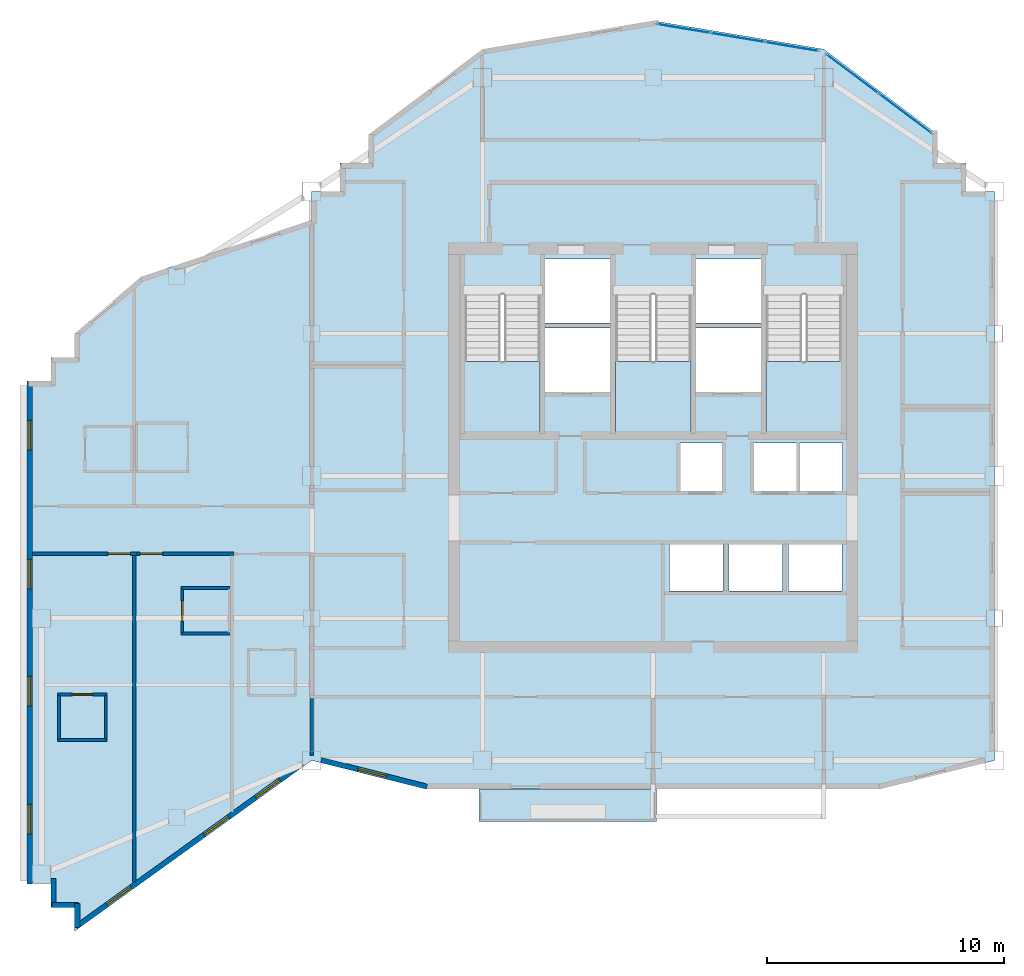
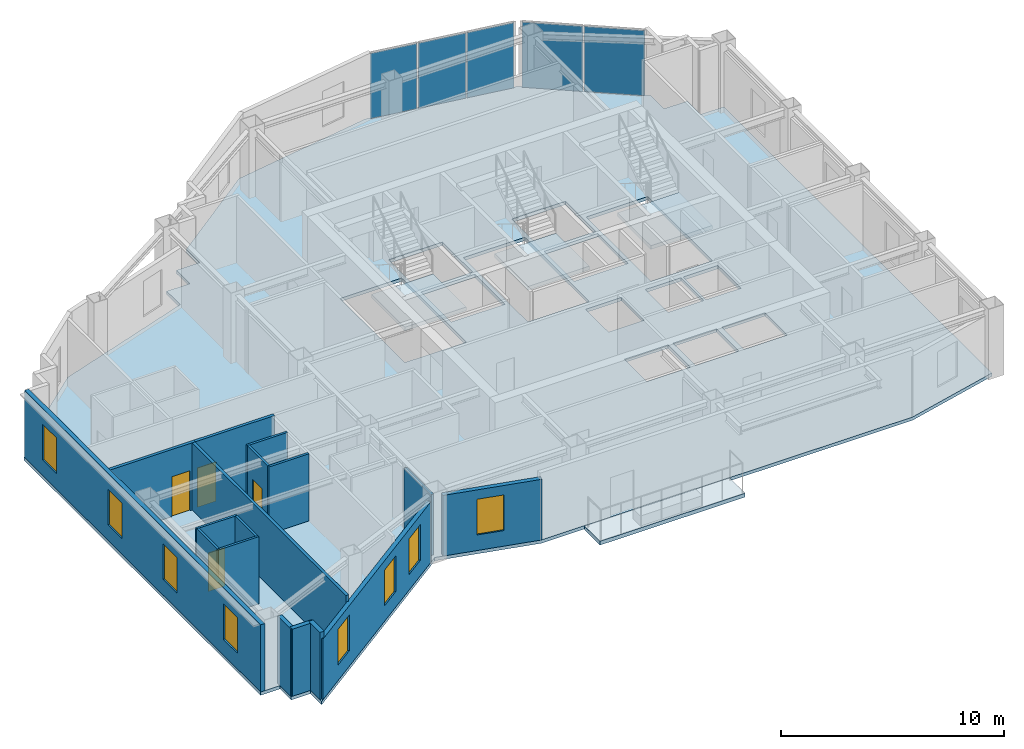
# One storey, part 4 of 10: 17 walls, 8 windows, 5 plates, 5 slabs, 4 doors, 12 openings, 5 elements without a shape of their own.
"""IFC4 building model written with IfcOpenShell, lengths in metres."""

from ifc_helpers import new_model, si_unit, direction, frame, frame_2d, origin, origin_2d, place, context, subcontext, project, spatial, polyline, rectangle, outline, extrude, material, layer, layer_set, type_object, element, fill, aggregate, save


model = new_model("IFC4")

# Units and contexts
model_context = context("Model", 3, precision=1e-05, world=origin(), true_north=direction((0.0, 1.0)))
body_context = subcontext(model_context, "Body", "Model", "MODEL_VIEW")
ifc_project = project(units=[si_unit("LENGTHUNIT", "METRE"), si_unit("AREAUNIT", "SQUARE_METRE"), si_unit("VOLUMEUNIT", "CUBIC_METRE"), si_unit("PLANEANGLEUNIT", "RADIAN"), si_unit("MASSUNIT", "GRAM", prefix="KILO")], contexts=[model_context])

# Site, building, storey
site_placement = place(None, origin())
site = spatial("IfcSite", under=ifc_project, at=site_placement, CompositionType="ELEMENT")
building_placement = place(site_placement, origin())
building = spatial("IfcBuilding", under=site, at=building_placement, Name="Haolan Belvedere Tower", CompositionType="ELEMENT")
storey_placement = place(building_placement, frame((0.0, 0.0, 266.0)))
storey = spatial("IfcBuildingStorey", under=building, at=storey_placement, Name="L67", CompositionType="ELEMENT", Elevation=266.0)

# Curtain wall, plates
ifc_material_1 = material(Name="Anodised champagne-silver aluminium 6063-T6 and Low-E glass", Category="aluminium")
ifc_layer_1 = layer(ifc_material_1, 0.14501953125, Name="Anodised champagne-silver aluminium 6063-T6 and Low-E glass")
ifc_layer_set_1 = layer_set([ifc_layer_1], Name="Anodised champagne-silver aluminium 6063-T6 and Low-E glass")
curtain_wall_type = type_object("IfcCurtainWallType", Name="CW-SYS-05", PredefinedType="NOTDEFINED", material=ifc_layer_set_1)
curtain_wall_1_placement = place(storey_placement, origin())
curtain_wall_1 = element("IfcCurtainWall", 1, at=curtain_wall_1_placement, inside=storey, type_object=curtain_wall_type, Name="L67 CW-SYS-05 ribbon curtain wall 8.1", PredefinedType="NOTDEFINED")
ifc_material_2 = material(Name="Double silver Low-E laminated insulating glass", Category="glass")
ifc_layer_2 = layer(ifc_material_2, 0.02197265625, Name="Double silver Low-E laminated insulating glass")
ifc_layer_set_2 = layer_set([ifc_layer_2], Name="Double silver Low-E laminated insulating glass")
plate_type = type_object("IfcPlateType", Name="CW-SYS-05-PNL", PredefinedType="CURTAIN_PANEL", material=ifc_layer_set_2)
plate_1_placement = place(storey_placement, frame((49.03955078125, 48.8828125, 0.0498046875), z_axis=(0.0, 0.0, 1.0), x_axis=(-0.799997871638, 0.600002837806, 0.0)))
plate_1 = element("IfcPlate", 2, at=plate_1_placement, type_object=plate_type, Name="CW-05 panel 1.1", PredefinedType="CURTAIN_PANEL", context=body_context, shape_type="SweptSolid", body=[
    extrude(rectangle(XDim=2.738037109375, YDim=0.02197265625, at=origin_2d()), origin(), (0.0, 0.0, 1.0), 3.570068359375),
])
plate_2_placement = place(storey_placement, frame((46.805908203125, 50.55810546875, 0.0498046875), z_axis=(0.0, 0.0, 1.0), x_axis=(-0.799997871638, 0.600002837806, 0.0)))
plate_2 = element("IfcPlate", 3, at=plate_2_placement, type_object=plate_type, Name="CW-05 panel 2.1", PredefinedType="CURTAIN_PANEL", context=body_context, shape_type="SweptSolid", body=[
    extrude(rectangle(XDim=2.738037109375, YDim=0.02197265625, at=origin_2d()), origin(), (0.0, 0.0, 1.0), 3.570068359375),
])
aggregate(curtain_wall_1, [plate_1, plate_2])

curtain_wall_2_placement = place(storey_placement, origin())
curtain_wall_2 = element("IfcCurtainWall", 4, at=curtain_wall_2_placement, inside=storey, type_object=curtain_wall_type, Name="L67 CW-SYS-05 ribbon curtain wall 9.1", PredefinedType="NOTDEFINED")
plate_3_placement = place(storey_placement, frame((44.257568359375, 51.712158203125, 0.0498046875), z_axis=(0.0, 0.0, 1.0), x_axis=(-0.98639276122, 0.164405962825, 0.0)))
plate_3 = element("IfcPlate", 5, at=plate_3_placement, type_object=plate_type, Name="CW-05 panel 1.1", PredefinedType="CURTAIN_PANEL", context=body_context, shape_type="SweptSolid", body=[
    extrude(rectangle(XDim=2.24365234375, YDim=0.02197265625, at=origin_2d()), origin(), (0.0, 0.0, 1.0), 3.570068359375),
])
plate_4_placement = place(storey_placement, frame((41.977783203125, 52.09228515625, 0.0498046875), z_axis=(0.0, 0.0, 1.0), x_axis=(-0.98639276122, 0.164405962825, 0.0)))
plate_4 = element("IfcPlate", 6, at=plate_4_placement, type_object=plate_type, Name="CW-05 panel 2.1", PredefinedType="CURTAIN_PANEL", context=body_context, shape_type="SweptSolid", body=[
    extrude(rectangle(XDim=2.270751953125, YDim=0.02197265625, at=origin_2d()), origin(), (0.0, 0.0, 1.0), 3.570068359375),
])
plate_5_placement = place(storey_placement, frame((39.697998046875, 52.47216796875, 0.0498046875), z_axis=(0.0, 0.0, 1.0), x_axis=(-0.98639276122, 0.164405962825, 0.0)))
plate_5 = element("IfcPlate", 7, at=plate_5_placement, type_object=plate_type, Name="CW-05 panel 3.1", PredefinedType="CURTAIN_PANEL", context=body_context, shape_type="SweptSolid", body=[
    extrude(rectangle(XDim=2.24365234375, YDim=0.02197265625, at=origin_2d()), origin(), (0.0, 0.0, 1.0), 3.570068359375),
])
aggregate(curtain_wall_2, [plate_3, plate_4, plate_5])

# Slabs
ifc_material_3 = material(Name="Concrete C40/50", Category="concrete")
ifc_layer_3 = layer(ifc_material_3, 0.2099609375, Name="Concrete C40/50")
ifc_layer_set_3 = layer_set([ifc_layer_3], Name="Concrete C40/50")
slab_type_1 = type_object("IfcSlabType", Name="SL-BAL-210", PredefinedType="FLOOR", material=ifc_layer_set_3)
slab_1_placement = place(storey_placement, frame((0.0, 0.0, -0.22998046875)))
element("IfcSlab", 8, at=slab_1_placement, inside=storey, type_object=slab_type_1, Name="L67 structural tree-planter balcony slab BAL-L67-S1", PredefinedType="FLOOR", context=body_context, shape_type="SweptSolid", body=[
    extrude(outline(polyline([(31.050048828125, 19.02001953125), (38.550048828125, 19.02001953125), (38.550048828125, 20.39990234375), (31.050048828125, 20.39990234375), (31.050048828125, 19.02001953125)])), origin(), (0.0, 0.0, 1.0), 0.2099609375),
])
ifc_layer_4 = layer(ifc_material_3, 0.179931640625, Name="Concrete C40/50")
ifc_layer_set_4 = layer_set([ifc_layer_4], Name="Concrete C40/50")
slab_type_2 = type_object("IfcSlabType", Name="SL-FLR-180", PredefinedType="FLOOR", material=ifc_layer_set_4)
slab_2_placement = place(storey_placement, frame((0.0, 0.0, -0.179931640625)))
element("IfcSlab", 9, at=slab_2_placement, inside=storey, type_object=slab_type_2, Name="L67 structural floor slab", PredefinedType="FLOOR", context=body_context, shape_type="SweptSolid", body=[
    extrude(outline(polyline([(24.0, 21.60009765625), (28.800048828125, 20.39990234375), (48.0, 20.39990234375), (52.800048828125, 21.60009765625), (52.800048828125, 45.60009765625), (51.60009765625, 45.60009765625), (51.60009765625, 46.800048828125), (50.39990234375, 46.800048828125), (50.39990234375, 48.0), (45.60009765625, 51.60009765625), (38.39990234375, 52.800048828125), (31.199951171875, 51.60009765625), (26.39990234375, 48.0), (26.39990234375, 46.800048828125), (25.199951171875, 46.800048828125), (25.199951171875, 45.60009765625), (24.0, 45.60009765625), (24.0, 44.39990234375), (16.800048828125, 42.0), (14.0, 39.60009765625), (14.0, 38.60009765625), (13.0, 38.60009765625), (13.0, 37.60009765625), (12.0, 37.60009765625), (12.0, 16.800048828125), (12.0, 16.39990234375), (13.0, 16.39990234375), (13.0, 15.39990234375), (14.0, 15.39990234375), (14.0, 14.39990234375), (24.0, 21.60009765625)]), holes=[polyline([(30.449951171875, 41.22998046875), (30.449951171875, 35.449951171875), (33.6298828125, 35.449951171875), (33.6298828125, 41.22998046875), (30.449951171875, 41.22998046875)]), polyline([(36.81005859375, 41.22998046875), (36.81005859375, 35.449951171875), (39.989990234375, 35.449951171875), (39.989990234375, 41.22998046875), (36.81005859375, 41.22998046875)]), polyline([(43.169921875, 41.22998046875), (43.169921875, 35.449951171875), (46.35009765625, 35.449951171875), (46.35009765625, 41.22998046875), (43.169921875, 41.22998046875)]), polyline([(33.830078125, 40.050048828125), (36.610107421875, 40.050048828125), (36.610107421875, 42.75), (33.830078125, 42.75), (33.830078125, 40.050048828125)]), polyline([(33.830078125, 37.14990234375), (36.610107421875, 37.14990234375), (36.610107421875, 39.85009765625), (33.830078125, 39.85009765625), (33.830078125, 37.14990234375)]), polyline([(40.18994140625, 40.050048828125), (42.969970703125, 40.050048828125), (42.969970703125, 42.75), (40.18994140625, 42.75), (40.18994140625, 40.050048828125)]), polyline([(40.18994140625, 37.14990234375), (42.969970703125, 37.14990234375), (42.969970703125, 39.85009765625), (40.18994140625, 39.85009765625), (40.18994140625, 37.14990234375)]), polyline([(39.5400390625, 32.949951171875), (41.389892578125, 32.949951171875), (41.389892578125, 35.0), (39.5400390625, 35.0), (39.5400390625, 32.949951171875)]), polyline([(42.6201171875, 32.949951171875), (44.469970703125, 32.949951171875), (44.469970703125, 35.0), (42.6201171875, 35.0), (42.6201171875, 32.949951171875)]), polyline([(44.580078125, 32.949951171875), (46.3798828125, 32.949951171875), (46.3798828125, 35.0), (44.580078125, 35.0), (44.580078125, 32.949951171875)]), polyline([(39.10009765625, 28.75), (41.340087890625, 28.75), (41.340087890625, 30.75), (39.10009765625, 30.75), (39.10009765625, 28.75)]), polyline([(41.610107421875, 28.75), (43.85009765625, 28.75), (43.85009765625, 30.75), (41.610107421875, 30.75), (41.610107421875, 28.75)]), polyline([(44.1201171875, 28.75), (46.360107421875, 28.75), (46.360107421875, 30.75), (44.1201171875, 30.75), (44.1201171875, 28.75)])]), origin(), (0.0, 0.0, 1.0), 0.179931640625),
])

# Stair, slab
stair_type = type_object("IfcStairType", Name="STR-DL-22R-175", PredefinedType="HALF_TURN_STAIR", material=ifc_material_3)
stair_1_placement = place(storey_placement, origin())
stair_1 = element("IfcStair", 10, at=stair_1_placement, inside=storey, type_object=stair_type, Name="L67 Smokeproof Core Exit Stair ST1", PredefinedType="HALF_TURN_STAIR")
ifc_layer_5 = layer(ifc_material_3, 0.199951171875, Name="Concrete C40/50")
ifc_layer_set_5 = layer_set([ifc_layer_5], Name="Concrete C40/50")
slab_type_3 = type_object("IfcSlabType", Name="SL-LAND-200", PredefinedType="LANDING", material=ifc_layer_set_5)
slab_3_placement = place(storey_placement, frame((0.0, 0.0, 1.72509765625)))
slab_3 = element("IfcSlab", 11, at=slab_3_placement, type_object=slab_type_3, Name="ST1 landing 1", PredefinedType="LANDING", context=body_context, shape_type="SweptSolid", body=[
    extrude(outline(polyline([(30.449951171875, 38.429931640625), (30.449951171875, 35.449951171875), (33.6298828125, 35.449951171875), (33.6298828125, 38.429931640625), (30.449951171875, 38.429931640625)])), origin(), (0.0, 0.0, 1.0), 0.199951171875),
])
aggregate(stair_1, [slab_3])

stair_2_placement = place(storey_placement, origin())
stair_2 = element("IfcStair", 12, at=stair_2_placement, inside=storey, type_object=stair_type, Name="L67 Smokeproof Core Exit Stair ST3", PredefinedType="HALF_TURN_STAIR")
slab_4_placement = place(storey_placement, frame((0.0, 0.0, 1.72509765625)))
slab_4 = element("IfcSlab", 13, at=slab_4_placement, type_object=slab_type_3, Name="ST3 landing 1", PredefinedType="LANDING", context=body_context, shape_type="SweptSolid", body=[
    extrude(outline(polyline([(36.81005859375, 38.429931640625), (36.81005859375, 35.449951171875), (39.989990234375, 35.449951171875), (39.989990234375, 38.429931640625), (36.81005859375, 38.429931640625)])), origin(), (0.0, 0.0, 1.0), 0.199951171875),
])
aggregate(stair_2, [slab_4])

stair_3_placement = place(storey_placement, origin())
stair_3 = element("IfcStair", 14, at=stair_3_placement, inside=storey, type_object=stair_type, Name="L67 Smokeproof Core Exit Stair ST2", PredefinedType="HALF_TURN_STAIR")
slab_5_placement = place(storey_placement, frame((0.0, 0.0, 1.72509765625)))
slab_5 = element("IfcSlab", 15, at=slab_5_placement, type_object=slab_type_3, Name="ST2 landing 1", PredefinedType="LANDING", context=body_context, shape_type="SweptSolid", body=[
    extrude(outline(polyline([(43.169921875, 38.429931640625), (43.169921875, 35.449951171875), (46.35009765625, 35.449951171875), (46.35009765625, 38.429931640625), (43.169921875, 38.429931640625)])), origin(), (0.0, 0.0, 1.0), 0.199951171875),
])
aggregate(stair_3, [slab_5])

# Wall, openings, windows
ifc_material_4 = material(Name="Precast concrete C40/50", Category="concrete")
ifc_layer_6 = layer(ifc_material_4, 0.219970703125, Name="Precast concrete C40/50")
ifc_layer_set_6 = layer_set([ifc_layer_6], Name="Precast concrete C40/50")
wall_type_1 = type_object("IfcWallType", Name="WL-EXT-220", PredefinedType="SOLIDWALL", material=ifc_layer_set_6)
wall_1_placement = place(storey_placement, frame((12.110107421875, 37.544921875, 0.0), z_axis=(0.0, 0.0, 1.0), x_axis=(0.0, -1.0, 0.0)))
wall_1 = element("IfcWall", 16, at=wall_1_placement, inside=storey, type_object=wall_type_1, Name="L67 pale-metal exterior spandrel wall 23.1", PredefinedType="SOLIDWALL", context=body_context, shape_type="SweptSolid", body=[
    extrude(rectangle(XDim=21.14501953125, YDim=0.219970703125, at=frame_2d((10.572509765625, 0.0))), origin(), (0.0, 0.0, 1.0), 3.669921875),
])
opening_1_placement = place(wall_1_placement, frame((1.60009765625, 0.0, 0.85009765625)))
opening_1 = element("IfcOpeningElement", 17, at=opening_1_placement, cuts=wall_1, Name="Opening W-04", PredefinedType="OPENING", context=body_context, shape_type="SweptSolid", body=[
    extrude(rectangle(XDim=1.25, YDim=1.949951171875, at=frame_2d((0.625, 0.97509765625))), frame((0.0, 0.119873046875, 0.0), z_axis=(0.0, -1.0, 0.0), x_axis=(1.0, 0.0, 0.0)), (0.0, 0.0, 1.0), 0.239990234375),
])
opening_2_placement = place(wall_1_placement, frame((7.4599609375, 0.0, 0.85009765625)))
opening_2 = element("IfcOpeningElement", 18, at=opening_2_placement, cuts=wall_1, Name="Opening W-04", PredefinedType="OPENING", context=body_context, shape_type="SweptSolid", body=[
    extrude(rectangle(XDim=1.25, YDim=1.949951171875, at=frame_2d((0.625, 0.97509765625))), frame((0.0, 0.119873046875, 0.0), z_axis=(0.0, -1.0, 0.0), x_axis=(1.0, 0.0, 0.0)), (0.0, 0.0, 1.0), 0.239990234375),
])
opening_3_placement = place(wall_1_placement, frame((12.39990234375, 0.0, 0.85009765625)))
opening_3 = element("IfcOpeningElement", 19, at=opening_3_placement, cuts=wall_1, Name="Opening W-04", PredefinedType="OPENING", context=body_context, shape_type="SweptSolid", body=[
    extrude(rectangle(XDim=1.25, YDim=1.949951171875, at=frame_2d((0.625, 0.97509765625))), frame((0.0, 0.119873046875, 0.0), z_axis=(0.0, -1.0, 0.0), x_axis=(1.0, 0.0, 0.0)), (0.0, 0.0, 1.0), 0.239990234375),
])
opening_4_placement = place(wall_1_placement, frame((17.800048828125, 0.0, 0.85009765625)))
opening_4 = element("IfcOpeningElement", 20, at=opening_4_placement, cuts=wall_1, Name="Opening W-04", PredefinedType="OPENING", context=body_context, shape_type="SweptSolid", body=[
    extrude(rectangle(XDim=1.25, YDim=1.949951171875, at=frame_2d((0.625, 0.97509765625))), frame((0.0, 0.119873046875, 0.0), z_axis=(0.0, -1.0, 0.0), x_axis=(1.0, 0.0, 0.0)), (0.0, 0.0, 1.0), 0.239990234375),
])
ifc_material_5 = material(Name="Anodised aluminium 6063-T6 and Low-E glass", Category="aluminium")
window_type = type_object("IfcWindowType", Name="WN-DECO-Z4", PartitioningType="SINGLE_PANEL", PredefinedType="WINDOW", material=ifc_material_5)
window_1_placement = place(opening_1_placement, origin())
window_1 = element("IfcWindow", 21, at=window_1_placement, inside=storey, type_object=window_type, Name="L67 Art Deco chevron window 1", OverallHeight=1.949951171875, OverallWidth=1.25, PartitioningType="SINGLE_PANEL", PredefinedType="WINDOW", context=body_context, shape_type="SweptSolid", body=[
    extrude(rectangle(XDim=1.25, YDim=1.949951171875, at=frame_2d((0.625, 0.97509765625))), frame((0.0, 0.030029296875, 0.0), z_axis=(0.0, -1.0, 0.0), x_axis=(1.0, 0.0, 0.0)), (0.0, 0.0, 1.0), 0.06005859375),
])
fill(opening_1, window_1)
window_2_placement = place(opening_2_placement, origin())
window_2 = element("IfcWindow", 22, at=window_2_placement, inside=storey, type_object=window_type, Name="L67 Art Deco chevron window 2", OverallHeight=1.949951171875, OverallWidth=1.25, PartitioningType="SINGLE_PANEL", PredefinedType="WINDOW", context=body_context, shape_type="SweptSolid", body=[
    extrude(rectangle(XDim=1.25, YDim=1.949951171875, at=frame_2d((0.625, 0.97509765625))), frame((0.0, 0.030029296875, 0.0), z_axis=(0.0, -1.0, 0.0), x_axis=(1.0, 0.0, 0.0)), (0.0, 0.0, 1.0), 0.06005859375),
])
fill(opening_2, window_2)
window_3_placement = place(opening_3_placement, origin())
window_3 = element("IfcWindow", 23, at=window_3_placement, inside=storey, type_object=window_type, Name="L67 Art Deco chevron window 3", OverallHeight=1.949951171875, OverallWidth=1.25, PartitioningType="SINGLE_PANEL", PredefinedType="WINDOW", context=body_context, shape_type="SweptSolid", body=[
    extrude(rectangle(XDim=1.25, YDim=1.949951171875, at=frame_2d((0.625, 0.97509765625))), frame((0.0, 0.030029296875, 0.0), z_axis=(0.0, -1.0, 0.0), x_axis=(1.0, 0.0, 0.0)), (0.0, 0.0, 1.0), 0.06005859375),
])
fill(opening_3, window_3)
window_4_placement = place(opening_4_placement, origin())
window_4 = element("IfcWindow", 24, at=window_4_placement, inside=storey, type_object=window_type, Name="L67 Art Deco chevron window 4", OverallHeight=1.949951171875, OverallWidth=1.25, PartitioningType="SINGLE_PANEL", PredefinedType="WINDOW", context=body_context, shape_type="SweptSolid", body=[
    extrude(rectangle(XDim=1.25, YDim=1.949951171875, at=frame_2d((0.625, 0.97509765625))), frame((0.0, 0.030029296875, 0.0), z_axis=(0.0, -1.0, 0.0), x_axis=(1.0, 0.0, 0.0)), (0.0, 0.0, 1.0), 0.06005859375),
])
fill(opening_4, window_4)

# Walls
wall_2_placement = place(storey_placement, frame((13.110107421875, 16.6201171875, 0.0), z_axis=(0.0, 0.0, 1.0), x_axis=(0.0, -1.0, 0.0)))
element("IfcWall", 25, at=wall_2_placement, inside=storey, type_object=wall_type_1, Name="L67 pale-metal exterior spandrel wall 25.1", PredefinedType="SOLIDWALL", context=body_context, shape_type="SweptSolid", body=[
    extrude(rectangle(XDim=1.1650390625, YDim=0.219970703125, at=frame_2d((0.58251953125, 0.0))), origin(), (0.0, 0.0, 1.0), 3.669921875),
])
wall_3_placement = place(storey_placement, frame((13.054931640625, 15.510009765625, 0.0), z_axis=(0.0, 0.0, 1.0), x_axis=(1.0, 0.0, 0.0)))
element("IfcWall", 26, at=wall_3_placement, inside=storey, type_object=wall_type_1, Name="L67 pale-metal exterior spandrel wall 26.1", PredefinedType="SOLIDWALL", context=body_context, shape_type="SweptSolid", body=[
    extrude(rectangle(XDim=1.110107421875, YDim=0.219970703125, at=frame_2d((0.55517578125, 0.0))), origin(), (0.0, 0.0, 1.0), 3.669921875),
])
wall_4_placement = place(storey_placement, frame((14.110107421875, 15.56494140625, 0.0), z_axis=(0.0, 0.0, 1.0), x_axis=(0.0, -1.0, 0.0)))
element("IfcWall", 27, at=wall_4_placement, inside=storey, type_object=wall_type_1, Name="L67 pale-metal exterior spandrel wall 27.1", PredefinedType="SOLIDWALL", context=body_context, shape_type="SweptSolid", body=[
    extrude(rectangle(XDim=1.005126953125, YDim=0.219970703125, at=frame_2d((0.50244140625, 0.0))), origin(), (0.0, 0.0, 1.0), 3.669921875),
])

# Wall, openings, windows
wall_5_placement = place(storey_placement, frame((14.0654296875, 14.58251953125, 0.0), z_axis=(0.0, 0.0, 1.0), x_axis=(0.811523708458, 0.584319493608, 0.0)))
wall_5 = element("IfcWall", 28, at=wall_5_placement, inside=storey, type_object=wall_type_1, Name="L67 pale-metal exterior spandrel wall 28.1", PredefinedType="SOLIDWALL", context=body_context, shape_type="SweptSolid", body=[
    extrude(rectangle(XDim=11.7587890625, YDim=0.219970703125, at=frame_2d((5.87939453125, 0.0))), origin(), (0.0, 0.0, 1.0), 3.31494140625),
])
opening_5_placement = place(wall_5_placement, frame((1.60009765625, 0.0, 0.85009765625)))
opening_5 = element("IfcOpeningElement", 29, at=opening_5_placement, cuts=wall_5, Name="Opening W-04", PredefinedType="OPENING", context=body_context, shape_type="SweptSolid", body=[
    extrude(rectangle(XDim=1.25, YDim=1.949951171875, at=frame_2d((0.625, 0.97509765625))), frame((0.0, 0.119873046875, 0.0), z_axis=(0.0, -1.0, 0.0), x_axis=(1.0, 0.0, 0.0)), (0.0, 0.0, 1.0), 0.239990234375),
])
opening_6_placement = place(wall_5_placement, frame((6.665283203125, 0.0, 0.85009765625)))
opening_6 = element("IfcOpeningElement", 30, at=opening_6_placement, cuts=wall_5, Name="Opening W-04", PredefinedType="OPENING", context=body_context, shape_type="SweptSolid", body=[
    extrude(rectangle(XDim=1.25, YDim=1.949951171875, at=frame_2d((0.625, 0.97509765625))), frame((0.0, 0.119873046875, 0.0), z_axis=(0.0, -1.0, 0.0), x_axis=(1.0, 0.0, 0.0)), (0.0, 0.0, 1.0), 0.239990234375),
])
opening_7_placement = place(wall_5_placement, frame((9.336181640625, 0.0, 0.85009765625)))
opening_7 = element("IfcOpeningElement", 31, at=opening_7_placement, cuts=wall_5, Name="Opening W-04", PredefinedType="OPENING", context=body_context, shape_type="SweptSolid", body=[
    extrude(rectangle(XDim=1.25, YDim=1.949951171875, at=frame_2d((0.625, 0.97509765625))), frame((0.0, 0.119873046875, 0.0), z_axis=(0.0, -1.0, 0.0), x_axis=(1.0, 0.0, 0.0)), (0.0, 0.0, 1.0), 0.239990234375),
])
window_5_placement = place(opening_5_placement, origin())
window_5 = element("IfcWindow", 32, at=window_5_placement, inside=storey, type_object=window_type, Name="L67 Art Deco chevron window 1", OverallHeight=1.949951171875, OverallWidth=1.25, PartitioningType="SINGLE_PANEL", PredefinedType="WINDOW", context=body_context, shape_type="SweptSolid", body=[
    extrude(rectangle(XDim=1.25, YDim=1.949951171875, at=frame_2d((0.625, 0.97509765625))), frame((0.0, 0.030029296875, 0.0), z_axis=(0.0, -1.0, 0.0), x_axis=(1.0, 0.0, 0.0)), (0.0, 0.0, 1.0), 0.06005859375),
])
fill(opening_5, window_5)
window_6_placement = place(opening_6_placement, origin())
window_6 = element("IfcWindow", 33, at=window_6_placement, inside=storey, type_object=window_type, Name="L67 Art Deco chevron window 2", OverallHeight=1.949951171875, OverallWidth=1.25, PartitioningType="SINGLE_PANEL", PredefinedType="WINDOW", context=body_context, shape_type="SweptSolid", body=[
    extrude(rectangle(XDim=1.25, YDim=1.949951171875, at=frame_2d((0.625, 0.97509765625))), frame((0.0, 0.030029296875, 0.0), z_axis=(0.0, -1.0, 0.0), x_axis=(1.0, 0.0, 0.0)), (0.0, 0.0, 1.0), 0.06005859375),
])
fill(opening_6, window_6)
window_7_placement = place(opening_7_placement, origin())
window_7 = element("IfcWindow", 34, at=window_7_placement, inside=storey, type_object=window_type, Name="L67 Art Deco guestroom window 1", OverallHeight=1.949951171875, OverallWidth=1.25, PartitioningType="SINGLE_PANEL", PredefinedType="WINDOW", context=body_context, shape_type="SweptSolid", body=[
    extrude(rectangle(XDim=1.25, YDim=1.949951171875, at=frame_2d((0.625, 0.97509765625))), frame((0.0, 0.030029296875, 0.0), z_axis=(0.0, -1.0, 0.0), x_axis=(1.0, 0.0, 0.0)), (0.0, 0.0, 1.0), 0.06005859375),
])
fill(opening_7, window_7)

# Wall, opening, window
wall_6_placement = place(storey_placement, frame((24.39208984375, 21.615478515625, 0.0), z_axis=(0.0, 0.0, 1.0), x_axis=(0.970133159038, -0.242572986408, 0.0)))
wall_6 = element("IfcWall", 35, at=wall_6_placement, inside=storey, type_object=wall_type_1, Name="L67 pale-metal exterior spandrel wall 29.1", PredefinedType="SOLIDWALL", context=body_context, shape_type="SweptSolid", body=[
    extrude(rectangle(XDim=4.612548828125, YDim=0.219970703125, at=frame_2d((2.30615234375, 0.0))), origin(), (0.0, 0.0, 1.0), 3.31494140625),
])
opening_8_placement = place(wall_6_placement, frame((1.60009765625, 0.0, 0.85009765625)))
opening_8 = element("IfcOpeningElement", 36, at=opening_8_placement, cuts=wall_6, Name="Opening W-04", PredefinedType="OPENING", context=body_context, shape_type="SweptSolid", body=[
    extrude(rectangle(XDim=1.25, YDim=1.949951171875, at=frame_2d((0.625, 0.97509765625))), frame((0.0, 0.119873046875, 0.0), z_axis=(0.0, -1.0, 0.0), x_axis=(1.0, 0.0, 0.0)), (0.0, 0.0, 1.0), 0.239990234375),
])
window_8_placement = place(opening_8_placement, origin())
window_8 = element("IfcWindow", 37, at=window_8_placement, inside=storey, type_object=window_type, Name="L67 Art Deco chevron window 1", OverallHeight=1.949951171875, OverallWidth=1.25, PartitioningType="SINGLE_PANEL", PredefinedType="WINDOW", context=body_context, shape_type="SweptSolid", body=[
    extrude(rectangle(XDim=1.25, YDim=1.949951171875, at=frame_2d((0.625, 0.97509765625))), frame((0.0, 0.030029296875, 0.0), z_axis=(0.0, -1.0, 0.0), x_axis=(1.0, 0.0, 0.0)), (0.0, 0.0, 1.0), 0.06005859375),
])
fill(opening_8, window_8)

# Wall
ifc_material_6 = material(Name="Double gypsum acoustic stud partition", Category="masonry")
ifc_layer_7 = layer(ifc_material_6, 0.14990234375, Name="Double gypsum acoustic stud partition")
ifc_layer_set_7 = layer_set([ifc_layer_7], Name="Double gypsum acoustic stud partition")
wall_type_2 = type_object("IfcWallType", Name="WL-PART-150", PredefinedType="PARTITIONING", material=ifc_layer_set_7)
wall_7_placement = place(storey_placement, frame((24.0, 21.818603515625, 0.0), z_axis=(0.0, 0.0, 1.0), x_axis=(0.0, 1.0, 0.0)))
element("IfcWall", 38, at=wall_7_placement, inside=storey, type_object=wall_type_2, Name="L67 interior partition IW-L67-KS1-W", PredefinedType="PARTITIONING", context=body_context, shape_type="SweptSolid", body=[
    extrude(rectangle(XDim=2.4013671875, YDim=0.14990234375, at=frame_2d((1.20068359375, 0.0))), origin(), (0.0, 0.0, 1.0), 3.31494140625),
])

# Wall, opening, door
wall_8_placement = place(storey_placement, frame((12.2119140625, 30.320068359375, 0.0), z_axis=(0.0, 0.0, 1.0), x_axis=(1.0, 0.0, 0.0)))
wall_8 = element("IfcWall", 39, at=wall_8_placement, inside=storey, type_object=wall_type_2, Name="L67 interior partition IW-L67-T2S1-N", PredefinedType="PARTITIONING", context=body_context, shape_type="SweptSolid", body=[
    extrude(rectangle(XDim=4.408203125, YDim=0.14990234375, at=frame_2d((2.2041015625, 0.0))), origin(), (0.0, 0.0, 1.0), 3.669921875),
])
opening_9_placement = place(wall_8_placement, frame((4.1357421875, 0.0, 0.0), z_axis=(0.0, 0.0, 1.0), x_axis=(-1.0, 0.0, 0.0)))
opening_9 = element("IfcOpeningElement", 40, at=opening_9_placement, cuts=wall_8, Name="Opening ID-01", PredefinedType="OPENING", context=body_context, shape_type="SweptSolid", body=[
    extrude(rectangle(XDim=0.949951171875, YDim=2.179931640625, at=frame_2d((0.47509765625, 1.08984375))), frame((0.0, 0.0849609375, 0.0), z_axis=(0.0, -1.0, 0.0), x_axis=(1.0, 0.0, 0.0)), (0.0, 0.0, 1.0), 0.169921875),
])
ifc_material_7 = material(Name="Acoustic walnut veneer fire-rated timber", Category="wood")
door_type_1 = type_object("IfcDoorType", Name="DR-SUITE-950", OperationType="NOTDEFINED", PredefinedType="DOOR", material=ifc_material_7)
door_1_placement = place(opening_9_placement, origin())
door_1 = element("IfcDoor", 41, at=door_1_placement, inside=storey, type_object=door_type_1, Name="L67 door ID-L67-T2S1-ENT", OperationType="SINGLE_SWING_LEFT", OverallHeight=2.179931640625, OverallWidth=0.949951171875, PredefinedType="DOOR", context=body_context, shape_type="SweptSolid", body=[
    extrude(rectangle(XDim=0.949951171875, YDim=2.179931640625, at=frame_2d((0.47509765625, 1.08984375))), frame((0.0, 0.02490234375, 0.0), z_axis=(0.0, -1.0, 0.0), x_axis=(1.0, 0.0, 0.0)), (0.0, 0.0, 1.0), 0.050048828125),
])
fill(opening_9, door_1)

# Wall
wall_9_placement = place(storey_placement, frame((16.52001953125, 16.4755859375, 0.0), z_axis=(0.0, 0.0, 1.0), x_axis=(0.0, 1.0, 0.0)))
element("IfcWall", 42, at=wall_9_placement, inside=storey, type_object=wall_type_2, Name="L67 interior partition IW-L67-T2S1-E", PredefinedType="PARTITIONING", context=body_context, shape_type="SweptSolid", body=[
    extrude(rectangle(XDim=13.784423828125, YDim=0.14990234375, at=frame_2d((6.89208984375, 0.0))), origin(), (0.0, 0.0, 1.0), 3.669921875),
])

# Wall, opening, door
wall_10_placement = place(storey_placement, frame((16.6220703125, 30.320068359375, 0.0), z_axis=(0.0, 0.0, 1.0), x_axis=(1.0, 0.0, 0.0)))
wall_10 = element("IfcWall", 43, at=wall_10_placement, inside=storey, type_object=wall_type_2, Name="L67 interior partition IW-L67-T2S2-N", PredefinedType="PARTITIONING", context=body_context, shape_type="SweptSolid", body=[
    extrude(rectangle(XDim=4.097900390625, YDim=0.14990234375, at=frame_2d((2.048828125, 0.0))), origin(), (0.0, 0.0, 1.0), 3.669921875),
])
opening_10_placement = place(wall_10_placement, frame((1.08984375, 0.0, 0.0), z_axis=(0.0, 0.0, 1.0), x_axis=(-1.0, 0.0, 0.0)))
opening_10 = element("IfcOpeningElement", 44, at=opening_10_placement, cuts=wall_10, Name="Opening ID-02", PredefinedType="OPENING", context=body_context, shape_type="SweptSolid", body=[
    extrude(rectangle(XDim=0.949951171875, YDim=2.14990234375, at=frame_2d((0.47509765625, 1.074951171875))), frame((0.0, 0.0849609375, 0.0), z_axis=(0.0, -1.0, 0.0), x_axis=(1.0, 0.0, 0.0)), (0.0, 0.0, 1.0), 0.169921875),
])
ifc_material_8 = material(Name="Acoustic oak veneer fire-rated timber", Category="wood")
door_type_2 = type_object("IfcDoorType", Name="DR-GUEST-950", OperationType="NOTDEFINED", PredefinedType="DOOR", material=ifc_material_8)
door_2_placement = place(opening_10_placement, origin())
door_2 = element("IfcDoor", 45, at=door_2_placement, inside=storey, type_object=door_type_2, Name="L67 door ID-L67-T2S2-ENT", OperationType="SINGLE_SWING_RIGHT", OverallHeight=2.14990234375, OverallWidth=0.949951171875, PredefinedType="DOOR", context=body_context, shape_type="SweptSolid", body=[
    extrude(rectangle(XDim=0.949951171875, YDim=2.14990234375, at=frame_2d((0.47509765625, 1.074951171875))), frame((0.0, 0.02490234375, 0.0), z_axis=(0.0, -1.0, 0.0), x_axis=(1.0, 0.0, 0.0)), (0.0, 0.0, 1.0), 0.050048828125),
])
fill(opening_10, door_2)

ifc_material_9 = material(Name="Moisture-resistant gypsum tile partition", Category="masonry")
ifc_layer_8 = layer(ifc_material_9, 0.1201171875, Name="Moisture-resistant gypsum tile partition")
ifc_layer_set_8 = layer_set([ifc_layer_8], Name="Moisture-resistant gypsum tile partition")
wall_type_3 = type_object("IfcWallType", Name="WL-WET-120", PredefinedType="PARTITIONING", material=ifc_layer_set_8)
wall_11_placement = place(storey_placement, frame((13.27490234375, 24.385009765625, 0.0), z_axis=(0.0, 0.0, 1.0), x_axis=(1.0, 0.0, 0.0)))
wall_11 = element("IfcWall", 46, at=wall_11_placement, inside=storey, type_object=wall_type_3, Name="L67 interior partition IW-L67-T2S1-BN", PredefinedType="PARTITIONING", context=body_context, shape_type="SweptSolid", body=[
    extrude(rectangle(XDim=2.10009765625, YDim=0.1201171875, at=frame_2d((1.050048828125, 0.0))), origin(), (0.0, 0.0, 1.0), 3.669921875),
])
opening_11_placement = place(wall_11_placement, frame((1.47509765625, 0.0, 0.0), z_axis=(0.0, 0.0, 1.0), x_axis=(-1.0, 0.0, 0.0)))
opening_11 = element("IfcOpeningElement", 47, at=opening_11_placement, cuts=wall_11, Name="Opening ID-05", PredefinedType="OPENING", context=body_context, shape_type="SweptSolid", body=[
    extrude(rectangle(XDim=0.85009765625, YDim=2.10009765625, at=frame_2d((0.425048828125, 1.050048828125))), frame((0.0, 0.070068359375, 0.0), z_axis=(0.0, -1.0, 0.0), x_axis=(1.0, 0.0, 0.0)), (0.0, 0.0, 1.0), 0.14013671875),
])
ifc_material_10 = material(Name="Moisture-resistant lacquered timber", Category="wood")
door_type_3 = type_object("IfcDoorType", Name="DR-BATH-850", OperationType="NOTDEFINED", PredefinedType="DOOR", material=ifc_material_10)
door_3_placement = place(opening_11_placement, origin())
door_3 = element("IfcDoor", 48, at=door_3_placement, inside=storey, type_object=door_type_3, Name="L67 door ID-L67-T2S1-BATH", OperationType="SINGLE_SWING_RIGHT", OverallHeight=2.10009765625, OverallWidth=0.85009765625, PredefinedType="DOOR", context=body_context, shape_type="SweptSolid", body=[
    extrude(rectangle(XDim=0.85009765625, YDim=2.10009765625, at=frame_2d((0.425048828125, 1.050048828125))), frame((0.0, 0.02490234375, 0.0), z_axis=(0.0, -1.0, 0.0), x_axis=(1.0, 0.0, 0.0)), (0.0, 0.0, 1.0), 0.050048828125),
])
fill(opening_11, door_3)

# Walls
wall_12_placement = place(storey_placement, frame((13.27490234375, 22.465087890625, 0.0), z_axis=(0.0, 0.0, 1.0), x_axis=(1.0, 0.0, 0.0)))
element("IfcWall", 49, at=wall_12_placement, inside=storey, type_object=wall_type_3, Name="L67 interior partition IW-L67-T2S1-BS", PredefinedType="PARTITIONING", context=body_context, shape_type="SweptSolid", body=[
    extrude(rectangle(XDim=2.10009765625, YDim=0.1201171875, at=frame_2d((1.050048828125, 0.0))), origin(), (0.0, 0.0, 1.0), 3.669921875),
])
for number, where, z_axis, x_axis, name in (
    (50, (13.3349609375, 22.510009765625, 0.0), (0.0, 0.0, 1.0), (0.0, 1.0, 0.0), "L67 interior partition IW-L67-T2S1-BW"),
    (51, (15.31494140625, 22.510009765625, 0.0), (0.0, 0.0, 1.0), (0.0, 1.0, 0.0), "L67 interior partition IW-L67-T2S1-BE"),
):
    element("IfcWall", number, at=place(storey_placement, frame(where, z_axis=z_axis, x_axis=x_axis)), inside=storey, type_object=wall_type_3, Name=name, PredefinedType="PARTITIONING", context=body_context, shape_type="SweptSolid", body=[
        extrude(rectangle(XDim=1.830078125, YDim=0.1201171875, at=frame_2d((0.9150390625, 0.0))), origin(), (0.0, 0.0, 1.0), 3.669921875),
    ])
for number, where, z_axis, x_axis, name in (
    (52, (18.47998046875, 28.8701171875, 0.0), (0.0, 0.0, 1.0), (1.0, 0.0, 0.0), "L67 interior partition IW-L67-T2S2-BN"),
    (53, (18.47998046875, 26.949951171875, 0.0), (0.0, 0.0, 1.0), (1.0, 0.0, 0.0), "L67 interior partition IW-L67-T2S2-BS"),
):
    element("IfcWall", number, at=place(storey_placement, frame(where, z_axis=z_axis, x_axis=x_axis)), inside=storey, type_object=wall_type_3, Name=name, PredefinedType="PARTITIONING", context=body_context, shape_type="SweptSolid", body=[
        extrude(rectangle(XDim=2.080078125, YDim=0.1201171875, at=frame_2d((1.0400390625, 0.0))), origin(), (0.0, 0.0, 1.0), 3.669921875),
    ])

# Wall, opening, door
wall_13_placement = place(storey_placement, frame((18.5400390625, 26.9951171875, 0.0), z_axis=(0.0, 0.0, 1.0), x_axis=(0.0, 1.0, 0.0)))
wall_13 = element("IfcWall", 54, at=wall_13_placement, inside=storey, type_object=wall_type_3, Name="L67 interior partition IW-L67-T2S2-BW", PredefinedType="PARTITIONING", context=body_context, shape_type="SweptSolid", body=[
    extrude(rectangle(XDim=1.829833984375, YDim=0.1201171875, at=frame_2d((0.9150390625, 0.0))), origin(), (0.0, 0.0, 1.0), 3.669921875),
])
opening_12_placement = place(wall_13_placement, frame((1.340087890625, 0.0, 0.0), z_axis=(0.0, 0.0, 1.0), x_axis=(-1.0, 0.0, 0.0)))
opening_12 = element("IfcOpeningElement", 55, at=opening_12_placement, cuts=wall_13, Name="Opening ID-05", PredefinedType="OPENING", context=body_context, shape_type="SweptSolid", body=[
    extrude(rectangle(XDim=0.85009765625, YDim=2.10009765625, at=frame_2d((0.425048828125, 1.050048828125))), frame((0.0, 0.070068359375, 0.0), z_axis=(0.0, -1.0, 0.0), x_axis=(1.0, 0.0, 0.0)), (0.0, 0.0, 1.0), 0.14013671875),
])
door_4_placement = place(opening_12_placement, origin())
door_4 = element("IfcDoor", 56, at=door_4_placement, inside=storey, type_object=door_type_3, Name="L67 door ID-L67-T2S2-BATH", OperationType="SINGLE_SWING_LEFT", OverallHeight=2.10009765625, OverallWidth=0.85009765625, PredefinedType="DOOR", context=body_context, shape_type="SweptSolid", body=[
    extrude(rectangle(XDim=0.85009765625, YDim=2.10009765625, at=frame_2d((0.425048828125, 1.050048828125))), frame((0.0, 0.02490234375, 0.0), z_axis=(0.0, -1.0, 0.0), x_axis=(1.0, 0.0, 0.0)), (0.0, 0.0, 1.0), 0.050048828125),
])
fill(opening_12, door_4)

save(model, "model.ifc")
